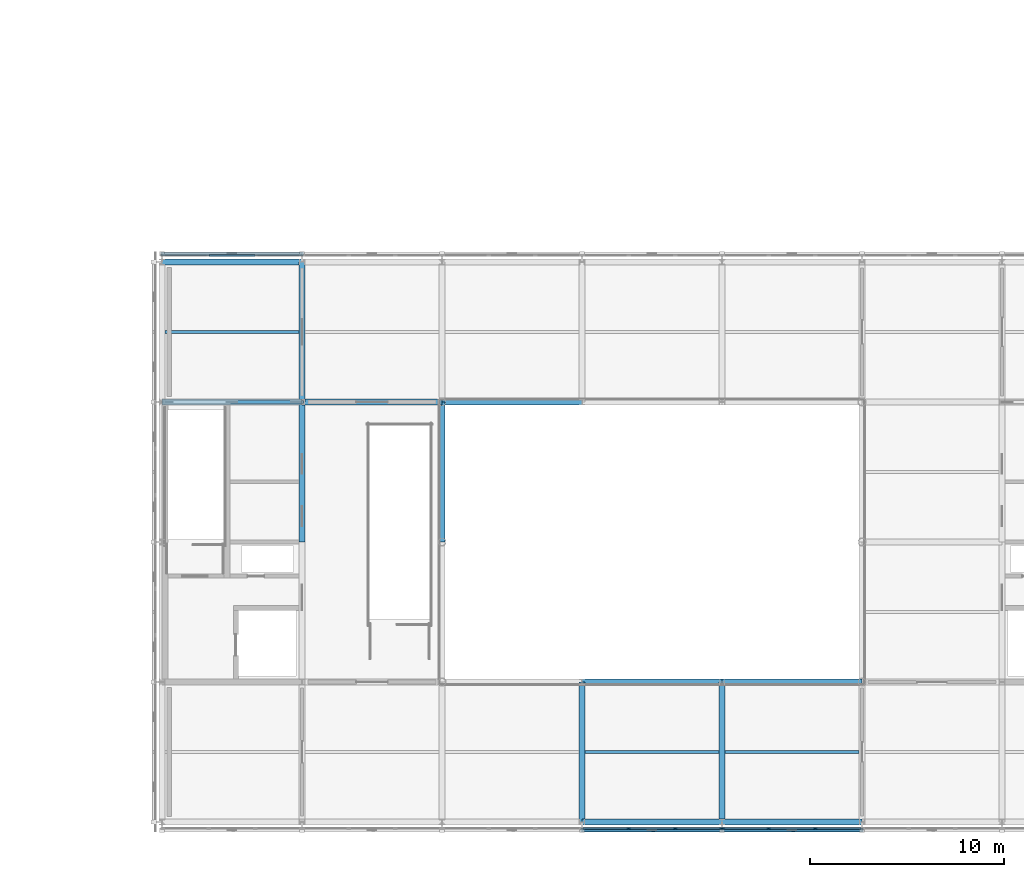
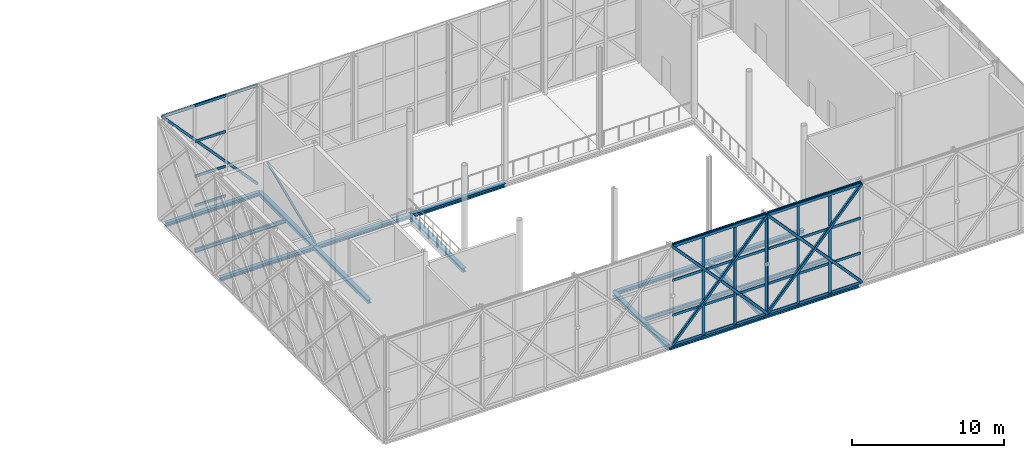
# One storey, part 15 of 76: 45 members, 16 beams, 3 elements without a shape of their own.
"""IFC4 building model written with IfcOpenShell, lengths in metres."""

from ifc_helpers import new_model, si_unit, direction, frame, origin, origin_2d, place, context, subcontext, project, spatial, rectangle, hollow_rectangle, i_section, extrude, material, material_profile, profile_set, type_object, element, aggregate, save


model = new_model("IFC4")

# Units and contexts
model_context = context("Model", 3, precision=1e-05, world=origin(), true_north=direction((0.0, 1.0)))
body_context = subcontext(model_context, "Body", "Model", "MODEL_VIEW")
ifc_project = project(units=[si_unit("LENGTHUNIT", "METRE"), si_unit("AREAUNIT", "SQUARE_METRE"), si_unit("VOLUMEUNIT", "CUBIC_METRE"), si_unit("PLANEANGLEUNIT", "RADIAN"), si_unit("MASSUNIT", "GRAM", prefix="KILO")], contexts=[model_context])

# Site, building, storey
site_placement = place(None, origin())
site = spatial("IfcSite", under=ifc_project, at=site_placement, CompositionType="ELEMENT")
building_placement = place(site_placement, origin())
building = spatial("IfcBuilding", under=site, at=building_placement, Name="Zlatovets Crest Museum", CompositionType="ELEMENT")
storey_placement = place(building_placement, frame((0.0, 0.0, 17.10009765625)))
storey = spatial("IfcBuildingStorey", under=building, at=storey_placement, Name="L04", CompositionType="ELEMENT", Elevation=17.10009765625)

# Beams
ifc_material_1 = material(Name="Structural steel S355J2", Category="steel")
ifc_material_profile_1 = material_profile(ifc_material_1, i_section(OverallWidth=0.300048828125, OverallDepth=0.31005859375, WebThickness=0.009033203125, FlangeThickness=0.015380859375, FilletRadius=0.027099609375, at=origin_2d()), Name="HEA 320")
ifc_profile_set_1 = profile_set([ifc_material_profile_1], Name="Structural steel S355J2")
beam_type_1 = type_object("IfcBeamType", Name="Beam_B-04", PredefinedType="BEAM", material=ifc_profile_set_1)
beam_1_placement = place(storey_placement, frame((64.800048828125, 14.39990234375, -0.39501953125), z_axis=(0.0, 1.0, 0.0), x_axis=(-1.0, 0.0, 0.0)))
element("IfcBeam", 1, at=beam_1_placement, inside=storey, type_object=beam_type_1, Name="V2 L04 Grid Beam B-04", PredefinedType="BEAM", context=body_context, shape_type="SweptSolid", body=[
    extrude(i_section(OverallWidth=0.300048828125, OverallDepth=0.31005859375, WebThickness=0.009033203125, FlangeThickness=0.015380859375, FilletRadius=0.027099609375, at=origin_2d()), origin(), (0.0, 0.0, 1.0), 7.2001953125),
])
beam_2_placement = place(storey_placement, frame((64.800048828125, 21.60009765625, -0.39501953125), z_axis=(0.0, 1.0, 0.0), x_axis=(-1.0, 0.0, 0.0)))
element("IfcBeam", 2, at=beam_2_placement, inside=storey, type_object=beam_type_1, Name="V2 L04 Grid Beam B-04", PredefinedType="BEAM", context=body_context, shape_type="SweptSolid", body=[
    extrude(i_section(OverallWidth=0.300048828125, OverallDepth=0.31005859375, WebThickness=0.009033203125, FlangeThickness=0.015380859375, FilletRadius=0.027099609375, at=origin_2d()), origin(), (0.0, 0.0, 1.0), 7.199951171875),
])
beam_3_placement = place(storey_placement, frame((72.0, 14.39990234375, -0.39501953125), z_axis=(0.0, 1.0, 0.0), x_axis=(-1.0, 0.0, 0.0)))
element("IfcBeam", 3, at=beam_3_placement, inside=storey, type_object=beam_type_1, Name="V2 L04 Grid Beam B-04", PredefinedType="BEAM", context=body_context, shape_type="SweptSolid", body=[
    extrude(i_section(OverallWidth=0.300048828125, OverallDepth=0.31005859375, WebThickness=0.009033203125, FlangeThickness=0.015380859375, FilletRadius=0.027099609375, at=origin_2d()), origin(), (0.0, 0.0, 1.0), 7.2001953125),
])
for number, where, z_axis, x_axis, name in (
    (4, (79.199951171875, 0.0, -0.39501953125), (0.0, 1.0, 0.0), (-1.0, 0.0, 0.0), "V2 L04 Grid Beam B-04"),
    (5, (86.39990234375, 0.0, -0.39501953125), (0.0, 1.0, 0.0), (-1.0, 0.0, 0.0), "V2 L04 Grid Beam B-04"),
):
    element("IfcBeam", number, at=place(storey_placement, frame(where, z_axis=z_axis, x_axis=x_axis)), inside=storey, type_object=beam_type_1, Name=name, PredefinedType="BEAM", context=body_context, shape_type="SweptSolid", body=[
        extrude(i_section(OverallWidth=0.300048828125, OverallDepth=0.31005859375, WebThickness=0.009033203125, FlangeThickness=0.015380859375, FilletRadius=0.027099609375, at=origin_2d()), origin(), (0.0, 0.0, 1.0), 7.199951171875),
    ])
ifc_material_profile_2 = material_profile(ifc_material_1, i_section(OverallWidth=0.300048828125, OverallDepth=0.2900390625, WebThickness=0.008544921875, FlangeThickness=0.013916015625, FilletRadius=0.027099609375, at=origin_2d()), Name="HEA 300")
ifc_profile_set_2 = profile_set([ifc_material_profile_2], Name="Structural steel S355J2")
beam_type_2 = type_object("IfcBeamType", Name="Beam_B-12", PredefinedType="BEAM", material=ifc_profile_set_2)
beam_4_placement = place(storey_placement, frame((79.199951171875, 0.0, -0.385009765625), z_axis=(1.0, 0.0, 0.0), x_axis=(0.0, 1.0, 0.0)))
element("IfcBeam", 6, at=beam_4_placement, inside=storey, type_object=beam_type_2, Name="V2 L04 Primary Girder B-12", PredefinedType="BEAM", context=body_context, shape_type="SweptSolid", body=[
    extrude(i_section(OverallWidth=0.300048828125, OverallDepth=0.2900390625, WebThickness=0.008544921875, FlangeThickness=0.013916015625, FilletRadius=0.027099609375, at=origin_2d()), origin(), (0.0, 0.0, 1.0), 7.199951171875),
])
beam_5_placement = place(storey_placement, frame((86.39990234375, 0.0, -0.385009765625), z_axis=(1.0, 0.0, 0.0), x_axis=(0.0, 1.0, 0.0)))
element("IfcBeam", 7, at=beam_5_placement, inside=storey, type_object=beam_type_2, Name="V2 L04 Primary Girder B-12", PredefinedType="BEAM", context=body_context, shape_type="SweptSolid", body=[
    extrude(i_section(OverallWidth=0.300048828125, OverallDepth=0.2900390625, WebThickness=0.008544921875, FlangeThickness=0.013916015625, FilletRadius=0.027099609375, at=origin_2d()), origin(), (0.0, 0.0, 1.0), 7.2001953125),
])
beam_6_placement = place(storey_placement, frame((79.199951171875, 7.199951171875, -0.385009765625), z_axis=(1.0, 0.0, 0.0), x_axis=(0.0, 1.0, 0.0)))
element("IfcBeam", 8, at=beam_6_placement, inside=storey, type_object=beam_type_2, Name="V2 L04 Primary Girder B-12", PredefinedType="BEAM", context=body_context, shape_type="SweptSolid", body=[
    extrude(i_section(OverallWidth=0.300048828125, OverallDepth=0.2900390625, WebThickness=0.008544921875, FlangeThickness=0.013916015625, FilletRadius=0.027099609375, at=origin_2d()), origin(), (0.0, 0.0, 1.0), 7.199951171875),
])
beam_7_placement = place(storey_placement, frame((86.39990234375, 7.199951171875, -0.385009765625), z_axis=(1.0, 0.0, 0.0), x_axis=(0.0, 1.0, 0.0)))
element("IfcBeam", 9, at=beam_7_placement, inside=storey, type_object=beam_type_2, Name="V2 L04 Primary Girder B-12", PredefinedType="BEAM", context=body_context, shape_type="SweptSolid", body=[
    extrude(i_section(OverallWidth=0.300048828125, OverallDepth=0.2900390625, WebThickness=0.008544921875, FlangeThickness=0.013916015625, FilletRadius=0.027099609375, at=origin_2d()), origin(), (0.0, 0.0, 1.0), 7.2001953125),
])
for number, where, z_axis, x_axis, name in (
    (10, (57.60009765625, 21.60009765625, -0.385009765625), (1.0, 0.0, 0.0), (0.0, 1.0, 0.0), "V2 L04 Primary Girder B-12"),
    (11, (64.800048828125, 21.60009765625, -0.385009765625), (1.0, 0.0, 0.0), (0.0, 1.0, 0.0), "V2 L04 Primary Girder B-12"),
    (12, (72.0, 21.60009765625, -0.385009765625), (1.0, 0.0, 0.0), (0.0, 1.0, 0.0), "V2 L04 Primary Girder B-12"),
    (13, (57.60009765625, 28.800048828125, -0.385009765625), (1.0, 0.0, 0.0), (0.0, 1.0, 0.0), "V2 L04 Primary Girder B-12"),
):
    element("IfcBeam", number, at=place(storey_placement, frame(where, z_axis=z_axis, x_axis=x_axis)), inside=storey, type_object=beam_type_2, Name=name, PredefinedType="BEAM", context=body_context, shape_type="SweptSolid", body=[
        extrude(i_section(OverallWidth=0.300048828125, OverallDepth=0.2900390625, WebThickness=0.008544921875, FlangeThickness=0.013916015625, FilletRadius=0.027099609375, at=origin_2d()), origin(), (0.0, 0.0, 1.0), 7.199951171875),
    ])
ifc_material_profile_3 = material_profile(ifc_material_1, i_section(OverallWidth=0.14990234375, OverallDepth=0.300048828125, WebThickness=0.007080078125, FlangeThickness=0.0107421875, FilletRadius=0.014892578125, at=origin_2d()), Name="IPE 300")
ifc_profile_set_3 = profile_set([ifc_material_profile_3], Name="Structural steel S355J2")
beam_type_3 = type_object("IfcBeamType", Name="Beam_J-02", PredefinedType="JOIST", material=ifc_profile_set_3)
for number, where, z_axis, x_axis, name in (
    (14, (57.75, 25.199951171875, -0.39013671875), (1.0, 0.0, 0.0), (0.0, 1.0, 0.0), "V2 L04 Composite Joist J-02"),
    (15, (79.35009765625, 3.60009765625, -0.39013671875), (1.0, 0.0, 0.0), (0.0, 1.0, 0.0), "V2 L04 Composite Joist J-02"),
    (16, (86.550048828125, 3.60009765625, -0.39013671875), (1.0, 0.0, 0.0), (0.0, 1.0, 0.0), "V2 L04 Composite Joist J-02"),
):
    element("IfcBeam", number, at=place(storey_placement, frame(where, z_axis=z_axis, x_axis=x_axis)), inside=storey, type_object=beam_type_3, Name=name, PredefinedType="JOIST", context=body_context, shape_type="SweptSolid", body=[
        extrude(i_section(OverallWidth=0.14990234375, OverallDepth=0.300048828125, WebThickness=0.007080078125, FlangeThickness=0.0107421875, FilletRadius=0.014892578125, at=origin_2d()), origin(), (0.0, 0.0, 1.0), 6.89990234375),
    ])

# Curtain wall, members
ifc_material_2 = material(Name="Bronze-anodised aluminium and low-E triple glass", Category="aluminium")
curtain_wall_type_1 = type_object("IfcCurtainWallType", Name="CW_CW-V2-L04-M3", PredefinedType="NOTDEFINED", material=ifc_material_2)
curtain_wall_1_placement = place(storey_placement, origin())
curtain_wall_1 = element("IfcCurtainWall", 17, at=curtain_wall_1_placement, inside=storey, type_object=curtain_wall_type_1, Name="V2 L04 Secession Foyer Clear Curtain Wall", PredefinedType="NOTDEFINED")
ifc_material_3 = material(Name="Bronze-anodised aluminium EN AW-6060", Category="aluminium")
ifc_material_profile_4 = material_profile(ifc_material_3, rectangle(XDim=0.090087890625, YDim=0.199951171875, at=origin_2d()), Name="ALU 90x200")
ifc_profile_set_4 = profile_set([ifc_material_profile_4], Name="Bronze-anodised aluminium EN AW-6060")
member_type_1 = type_object("IfcMemberType", Name="CWMull_M2", PredefinedType="MULLION", material=ifc_profile_set_4)
member_1_placement = place(storey_placement, frame((81.60009765625, -0.340087890625, 0.0), z_axis=(0.0, 0.0, 1.0), x_axis=(0.0, 1.0, 0.0)))
member_1 = element("IfcMember", 18, at=member_1_placement, type_object=member_type_1, Name="CW-V2-L04-M3 mullion 2", PredefinedType="MULLION", context=body_context, shape_type="SweptSolid", body=[
    extrude(rectangle(XDim=0.090087890625, YDim=0.199951171875, at=origin_2d()), origin(), (0.0, 0.0, 1.0), 8.099853515625),
])
member_2_placement = place(storey_placement, frame((84.0, -0.340087890625, 0.0), z_axis=(0.0, 0.0, 1.0), x_axis=(0.0, 1.0, 0.0)))
member_2 = element("IfcMember", 19, at=member_2_placement, type_object=member_type_1, Name="CW-V2-L04-M3 mullion 3", PredefinedType="MULLION", context=body_context, shape_type="SweptSolid", body=[
    extrude(rectangle(XDim=0.090087890625, YDim=0.199951171875, at=origin_2d()), origin(), (0.0, 0.0, 1.0), 8.099853515625),
])
member_3_placement = place(storey_placement, frame((86.3701171875, -0.340087890625, 0.0), z_axis=(0.0, 0.0, 1.0), x_axis=(0.0, 1.0, 0.0)))
member_3 = element("IfcMember", 20, at=member_3_placement, type_object=member_type_1, Name="CW-V2-L04-M3 mullion 4", PredefinedType="MULLION", context=body_context, shape_type="SweptSolid", body=[
    extrude(rectangle(XDim=0.090087890625, YDim=0.199951171875, at=origin_2d()), origin(), (0.0, 0.0, 1.0), 8.099853515625),
])

curtain_wall_type_2 = type_object("IfcCurtainWallType", Name="CW_CW-V2-L04-M0", PredefinedType="NOTDEFINED", material=ifc_material_2)
curtain_wall_2_placement = place(storey_placement, origin())
curtain_wall_2 = element("IfcCurtainWall", 21, at=curtain_wall_2_placement, inside=storey, type_object=curtain_wall_type_2, Name="V2 L04 Secession Foyer Clear Curtain Wall", PredefinedType="NOTDEFINED")
member_4_placement = place(storey_placement, frame((86.429931640625, -0.340087890625, 0.0), z_axis=(0.0, 0.0, 1.0), x_axis=(0.0, 1.0, 0.0)))
member_4 = element("IfcMember", 22, at=member_4_placement, type_object=member_type_1, Name="CW-V2-L04-M0 mullion 1", PredefinedType="MULLION", context=body_context, shape_type="SweptSolid", body=[
    extrude(rectangle(XDim=0.090087890625, YDim=0.199951171875, at=origin_2d()), origin(), (0.0, 0.0, 1.0), 8.099853515625),
])
member_5_placement = place(storey_placement, frame((88.800048828125, -0.340087890625, 0.0), z_axis=(0.0, 0.0, 1.0), x_axis=(0.0, 1.0, 0.0)))
member_5 = element("IfcMember", 23, at=member_5_placement, type_object=member_type_1, Name="CW-V2-L04-M0 mullion 2", PredefinedType="MULLION", context=body_context, shape_type="SweptSolid", body=[
    extrude(rectangle(XDim=0.090087890625, YDim=0.199951171875, at=origin_2d()), origin(), (0.0, 0.0, 1.0), 8.099853515625),
])
member_6_placement = place(storey_placement, frame((91.199951171875, -0.340087890625, 0.0), z_axis=(0.0, 0.0, 1.0), x_axis=(0.0, 1.0, 0.0)))
member_6 = element("IfcMember", 24, at=member_6_placement, type_object=member_type_1, Name="CW-V2-L04-M0 mullion 3", PredefinedType="MULLION", context=body_context, shape_type="SweptSolid", body=[
    extrude(rectangle(XDim=0.090087890625, YDim=0.199951171875, at=origin_2d()), origin(), (0.0, 0.0, 1.0), 8.099853515625),
])

# Member
ifc_material_profile_5 = material_profile(ifc_material_3, rectangle(XDim=0.090087890625, YDim=0.199951171875, at=origin_2d()), Name="ALU 90x200")
ifc_profile_set_5 = profile_set([ifc_material_profile_5], Name="Bronze-anodised aluminium EN AW-6060")
member_type_2 = type_object("IfcMemberType", Name="CWTrans_T2", PredefinedType="USERDEFINED", material=ifc_profile_set_5)
member_7_placement = place(storey_placement, frame((79.260009765625, -0.340087890625, 0.02978515625), z_axis=(1.0, 0.0, 0.0), x_axis=(0.0, 1.0, 0.0)))
member_7 = element("IfcMember", 25, at=member_7_placement, type_object=member_type_2, Name="CW-V2-L04-M3 transom 1.1", ObjectType="TRANSOM", PredefinedType="USERDEFINED", context=body_context, shape_type="SweptSolid", body=[
    extrude(rectangle(XDim=0.090087890625, YDim=0.199951171875, at=origin_2d()), origin(), (0.0, 0.0, 1.0), 2.31005859375),
])

member_8_placement = place(storey_placement, frame((79.260009765625, -0.340087890625, 2.39990234375), z_axis=(1.0, 0.0, 0.0), x_axis=(0.0, 1.0, 0.0)))
member_8 = element("IfcMember", 26, at=member_8_placement, type_object=member_type_2, Name="CW-V2-L04-M3 transom 1.2", ObjectType="TRANSOM", PredefinedType="USERDEFINED", context=body_context, shape_type="SweptSolid", body=[
    extrude(rectangle(XDim=0.090087890625, YDim=0.199951171875, at=origin_2d()), origin(), (0.0, 0.0, 1.0), 2.31005859375),
])

member_9_placement = place(storey_placement, frame((79.260009765625, -0.340087890625, 5.199951171875), z_axis=(1.0, 0.0, 0.0), x_axis=(0.0, 1.0, 0.0)))
member_9 = element("IfcMember", 27, at=member_9_placement, type_object=member_type_2, Name="CW-V2-L04-M3 transom 1.3", ObjectType="TRANSOM", PredefinedType="USERDEFINED", context=body_context, shape_type="SweptSolid", body=[
    extrude(rectangle(XDim=0.090087890625, YDim=0.199951171875, at=origin_2d()), origin(), (0.0, 0.0, 1.0), 2.31005859375),
])

member_10_placement = place(storey_placement, frame((79.260009765625, -0.340087890625, 8.06982421875), z_axis=(1.0, 0.0, 0.0), x_axis=(0.0, 1.0, 0.0)))
member_10 = element("IfcMember", 28, at=member_10_placement, type_object=member_type_2, Name="CW-V2-L04-M3 transom 1.4", ObjectType="TRANSOM", PredefinedType="USERDEFINED", context=body_context, shape_type="SweptSolid", body=[
    extrude(rectangle(XDim=0.090087890625, YDim=0.199951171875, at=origin_2d()), origin(), (0.0, 0.0, 1.0), 2.31005859375),
])

member_11_placement = place(storey_placement, frame((81.6298828125, -0.340087890625, 0.02978515625), z_axis=(1.0, 0.0, 0.0), x_axis=(0.0, 1.0, 0.0)))
member_11 = element("IfcMember", 29, at=member_11_placement, type_object=member_type_2, Name="CW-V2-L04-M3 transom 2.1", ObjectType="TRANSOM", PredefinedType="USERDEFINED", context=body_context, shape_type="SweptSolid", body=[
    extrude(rectangle(XDim=0.090087890625, YDim=0.199951171875, at=origin_2d()), origin(), (0.0, 0.0, 1.0), 2.340087890625),
])

member_12_placement = place(storey_placement, frame((81.6298828125, -0.340087890625, 2.39990234375), z_axis=(1.0, 0.0, 0.0), x_axis=(0.0, 1.0, 0.0)))
member_12 = element("IfcMember", 30, at=member_12_placement, type_object=member_type_2, Name="CW-V2-L04-M3 transom 2.2", ObjectType="TRANSOM", PredefinedType="USERDEFINED", context=body_context, shape_type="SweptSolid", body=[
    extrude(rectangle(XDim=0.090087890625, YDim=0.199951171875, at=origin_2d()), origin(), (0.0, 0.0, 1.0), 2.340087890625),
])

member_13_placement = place(storey_placement, frame((81.6298828125, -0.340087890625, 5.199951171875), z_axis=(1.0, 0.0, 0.0), x_axis=(0.0, 1.0, 0.0)))
member_13 = element("IfcMember", 31, at=member_13_placement, type_object=member_type_2, Name="CW-V2-L04-M3 transom 2.3", ObjectType="TRANSOM", PredefinedType="USERDEFINED", context=body_context, shape_type="SweptSolid", body=[
    extrude(rectangle(XDim=0.090087890625, YDim=0.199951171875, at=origin_2d()), origin(), (0.0, 0.0, 1.0), 2.340087890625),
])

member_14_placement = place(storey_placement, frame((81.6298828125, -0.340087890625, 8.06982421875), z_axis=(1.0, 0.0, 0.0), x_axis=(0.0, 1.0, 0.0)))
member_14 = element("IfcMember", 32, at=member_14_placement, type_object=member_type_2, Name="CW-V2-L04-M3 transom 2.4", ObjectType="TRANSOM", PredefinedType="USERDEFINED", context=body_context, shape_type="SweptSolid", body=[
    extrude(rectangle(XDim=0.090087890625, YDim=0.199951171875, at=origin_2d()), origin(), (0.0, 0.0, 1.0), 2.340087890625),
])

member_15_placement = place(storey_placement, frame((84.030029296875, -0.340087890625, 0.02978515625), z_axis=(1.0, 0.0, 0.0), x_axis=(0.0, 1.0, 0.0)))
member_15 = element("IfcMember", 33, at=member_15_placement, type_object=member_type_2, Name="CW-V2-L04-M3 transom 3.1", ObjectType="TRANSOM", PredefinedType="USERDEFINED", context=body_context, shape_type="SweptSolid", body=[
    extrude(rectangle(XDim=0.090087890625, YDim=0.199951171875, at=origin_2d()), origin(), (0.0, 0.0, 1.0), 2.31005859375),
])

member_16_placement = place(storey_placement, frame((84.030029296875, -0.340087890625, 2.39990234375), z_axis=(1.0, 0.0, 0.0), x_axis=(0.0, 1.0, 0.0)))
member_16 = element("IfcMember", 34, at=member_16_placement, type_object=member_type_2, Name="CW-V2-L04-M3 transom 3.2", ObjectType="TRANSOM", PredefinedType="USERDEFINED", context=body_context, shape_type="SweptSolid", body=[
    extrude(rectangle(XDim=0.090087890625, YDim=0.199951171875, at=origin_2d()), origin(), (0.0, 0.0, 1.0), 2.31005859375),
])

member_17_placement = place(storey_placement, frame((84.030029296875, -0.340087890625, 5.199951171875), z_axis=(1.0, 0.0, 0.0), x_axis=(0.0, 1.0, 0.0)))
member_17 = element("IfcMember", 35, at=member_17_placement, type_object=member_type_2, Name="CW-V2-L04-M3 transom 3.3", ObjectType="TRANSOM", PredefinedType="USERDEFINED", context=body_context, shape_type="SweptSolid", body=[
    extrude(rectangle(XDim=0.090087890625, YDim=0.199951171875, at=origin_2d()), origin(), (0.0, 0.0, 1.0), 2.31005859375),
])

member_18_placement = place(storey_placement, frame((84.030029296875, -0.340087890625, 8.06982421875), z_axis=(1.0, 0.0, 0.0), x_axis=(0.0, 1.0, 0.0)))
member_18 = element("IfcMember", 36, at=member_18_placement, type_object=member_type_2, Name="CW-V2-L04-M3 transom 3.4", ObjectType="TRANSOM", PredefinedType="USERDEFINED", context=body_context, shape_type="SweptSolid", body=[
    extrude(rectangle(XDim=0.090087890625, YDim=0.199951171875, at=origin_2d()), origin(), (0.0, 0.0, 1.0), 2.31005859375),
])

aggregate(curtain_wall_1, [member_1, member_2, member_3, member_7, member_8, member_9, member_10, member_11, member_12, member_13, member_14, member_15, member_16, member_17, member_18])

member_19_placement = place(storey_placement, frame((86.4599609375, -0.340087890625, 0.02978515625), z_axis=(1.0, 0.0, 0.0), x_axis=(0.0, 1.0, 0.0)))
member_19 = element("IfcMember", 37, at=member_19_placement, type_object=member_type_2, Name="CW-V2-L04-M0 transom 1.1", ObjectType="TRANSOM", PredefinedType="USERDEFINED", context=body_context, shape_type="SweptSolid", body=[
    extrude(rectangle(XDim=0.090087890625, YDim=0.199951171875, at=origin_2d()), origin(), (0.0, 0.0, 1.0), 2.31005859375),
])

member_20_placement = place(storey_placement, frame((86.4599609375, -0.340087890625, 2.39990234375), z_axis=(1.0, 0.0, 0.0), x_axis=(0.0, 1.0, 0.0)))
member_20 = element("IfcMember", 38, at=member_20_placement, type_object=member_type_2, Name="CW-V2-L04-M0 transom 1.2", ObjectType="TRANSOM", PredefinedType="USERDEFINED", context=body_context, shape_type="SweptSolid", body=[
    extrude(rectangle(XDim=0.090087890625, YDim=0.199951171875, at=origin_2d()), origin(), (0.0, 0.0, 1.0), 2.31005859375),
])

member_21_placement = place(storey_placement, frame((86.4599609375, -0.340087890625, 5.199951171875), z_axis=(1.0, 0.0, 0.0), x_axis=(0.0, 1.0, 0.0)))
member_21 = element("IfcMember", 39, at=member_21_placement, type_object=member_type_2, Name="CW-V2-L04-M0 transom 1.3", ObjectType="TRANSOM", PredefinedType="USERDEFINED", context=body_context, shape_type="SweptSolid", body=[
    extrude(rectangle(XDim=0.090087890625, YDim=0.199951171875, at=origin_2d()), origin(), (0.0, 0.0, 1.0), 2.31005859375),
])

member_22_placement = place(storey_placement, frame((86.4599609375, -0.340087890625, 8.06982421875), z_axis=(1.0, 0.0, 0.0), x_axis=(0.0, 1.0, 0.0)))
member_22 = element("IfcMember", 40, at=member_22_placement, type_object=member_type_2, Name="CW-V2-L04-M0 transom 1.4", ObjectType="TRANSOM", PredefinedType="USERDEFINED", context=body_context, shape_type="SweptSolid", body=[
    extrude(rectangle(XDim=0.090087890625, YDim=0.199951171875, at=origin_2d()), origin(), (0.0, 0.0, 1.0), 2.31005859375),
])

member_23_placement = place(storey_placement, frame((88.830078125, -0.340087890625, 0.02978515625), z_axis=(1.0, 0.0, 0.0), x_axis=(0.0, 1.0, 0.0)))
member_23 = element("IfcMember", 41, at=member_23_placement, type_object=member_type_2, Name="CW-V2-L04-M0 transom 2.1", ObjectType="TRANSOM", PredefinedType="USERDEFINED", context=body_context, shape_type="SweptSolid", body=[
    extrude(rectangle(XDim=0.090087890625, YDim=0.199951171875, at=origin_2d()), origin(), (0.0, 0.0, 1.0), 2.33984375),
])

member_24_placement = place(storey_placement, frame((88.830078125, -0.340087890625, 2.39990234375), z_axis=(1.0, 0.0, 0.0), x_axis=(0.0, 1.0, 0.0)))
member_24 = element("IfcMember", 42, at=member_24_placement, type_object=member_type_2, Name="CW-V2-L04-M0 transom 2.2", ObjectType="TRANSOM", PredefinedType="USERDEFINED", context=body_context, shape_type="SweptSolid", body=[
    extrude(rectangle(XDim=0.090087890625, YDim=0.199951171875, at=origin_2d()), origin(), (0.0, 0.0, 1.0), 2.33984375),
])

member_25_placement = place(storey_placement, frame((88.830078125, -0.340087890625, 5.199951171875), z_axis=(1.0, 0.0, 0.0), x_axis=(0.0, 1.0, 0.0)))
member_25 = element("IfcMember", 43, at=member_25_placement, type_object=member_type_2, Name="CW-V2-L04-M0 transom 2.3", ObjectType="TRANSOM", PredefinedType="USERDEFINED", context=body_context, shape_type="SweptSolid", body=[
    extrude(rectangle(XDim=0.090087890625, YDim=0.199951171875, at=origin_2d()), origin(), (0.0, 0.0, 1.0), 2.33984375),
])

member_26_placement = place(storey_placement, frame((88.830078125, -0.340087890625, 8.06982421875), z_axis=(1.0, 0.0, 0.0), x_axis=(0.0, 1.0, 0.0)))
member_26 = element("IfcMember", 44, at=member_26_placement, type_object=member_type_2, Name="CW-V2-L04-M0 transom 2.4", ObjectType="TRANSOM", PredefinedType="USERDEFINED", context=body_context, shape_type="SweptSolid", body=[
    extrude(rectangle(XDim=0.090087890625, YDim=0.199951171875, at=origin_2d()), origin(), (0.0, 0.0, 1.0), 2.33984375),
])

member_27_placement = place(storey_placement, frame((91.22998046875, -0.340087890625, 0.02978515625), z_axis=(1.0, 0.0, 0.0), x_axis=(0.0, 1.0, 0.0)))
member_27 = element("IfcMember", 45, at=member_27_placement, type_object=member_type_2, Name="CW-V2-L04-M0 transom 3.1", ObjectType="TRANSOM", PredefinedType="USERDEFINED", context=body_context, shape_type="SweptSolid", body=[
    extrude(rectangle(XDim=0.090087890625, YDim=0.199951171875, at=origin_2d()), origin(), (0.0, 0.0, 1.0), 2.31005859375),
])

member_28_placement = place(storey_placement, frame((91.22998046875, -0.340087890625, 2.39990234375), z_axis=(1.0, 0.0, 0.0), x_axis=(0.0, 1.0, 0.0)))
member_28 = element("IfcMember", 46, at=member_28_placement, type_object=member_type_2, Name="CW-V2-L04-M0 transom 3.2", ObjectType="TRANSOM", PredefinedType="USERDEFINED", context=body_context, shape_type="SweptSolid", body=[
    extrude(rectangle(XDim=0.090087890625, YDim=0.199951171875, at=origin_2d()), origin(), (0.0, 0.0, 1.0), 2.31005859375),
])

member_29_placement = place(storey_placement, frame((91.22998046875, -0.340087890625, 5.199951171875), z_axis=(1.0, 0.0, 0.0), x_axis=(0.0, 1.0, 0.0)))
member_29 = element("IfcMember", 47, at=member_29_placement, type_object=member_type_2, Name="CW-V2-L04-M0 transom 3.3", ObjectType="TRANSOM", PredefinedType="USERDEFINED", context=body_context, shape_type="SweptSolid", body=[
    extrude(rectangle(XDim=0.090087890625, YDim=0.199951171875, at=origin_2d()), origin(), (0.0, 0.0, 1.0), 2.31005859375),
])

member_30_placement = place(storey_placement, frame((91.22998046875, -0.340087890625, 8.06982421875), z_axis=(1.0, 0.0, 0.0), x_axis=(0.0, 1.0, 0.0)))
member_30 = element("IfcMember", 48, at=member_30_placement, type_object=member_type_2, Name="CW-V2-L04-M0 transom 3.4", ObjectType="TRANSOM", PredefinedType="USERDEFINED", context=body_context, shape_type="SweptSolid", body=[
    extrude(rectangle(XDim=0.090087890625, YDim=0.199951171875, at=origin_2d()), origin(), (0.0, 0.0, 1.0), 2.31005859375),
])

aggregate(curtain_wall_2, [member_4, member_5, member_6, member_19, member_20, member_21, member_22, member_23, member_24, member_25, member_26, member_27, member_28, member_29, member_30])

# Curtain wall, members
curtain_wall_type_3 = type_object("IfcCurtainWallType", Name="CW_CW-V2-L04-M1", PredefinedType="NOTDEFINED", material=ifc_material_2)
curtain_wall_3_placement = place(storey_placement, origin())
curtain_wall_3 = element("IfcCurtainWall", 49, at=curtain_wall_3_placement, inside=storey, type_object=curtain_wall_type_3, Name="V2 L04 Secession Foyer Clear Curtain Wall", PredefinedType="NOTDEFINED")
member_31_placement = place(storey_placement, frame((62.3701171875, 29.139892578125, 0.02978515625), z_axis=(-1.0, 0.0, 0.0), x_axis=(0.0, -1.0, 0.0)))
member_31 = element("IfcMember", 50, at=member_31_placement, type_object=member_type_2, Name="CW-V2-L04-M1 transom 2.1", ObjectType="TRANSOM", PredefinedType="USERDEFINED", context=body_context, shape_type="SweptSolid", body=[
    extrude(rectangle(XDim=0.090087890625, YDim=0.199951171875, at=origin_2d()), origin(), (0.0, 0.0, 1.0), 2.340087890625),
])
member_32_placement = place(storey_placement, frame((62.3701171875, 29.139892578125, 2.39990234375), z_axis=(-1.0, 0.0, 0.0), x_axis=(0.0, -1.0, 0.0)))
member_32 = element("IfcMember", 51, at=member_32_placement, type_object=member_type_2, Name="CW-V2-L04-M1 transom 2.2", ObjectType="TRANSOM", PredefinedType="USERDEFINED", context=body_context, shape_type="SweptSolid", body=[
    extrude(rectangle(XDim=0.090087890625, YDim=0.199951171875, at=origin_2d()), origin(), (0.0, 0.0, 1.0), 2.340087890625),
])
member_33_placement = place(storey_placement, frame((62.3701171875, 29.139892578125, 5.199951171875), z_axis=(-1.0, 0.0, 0.0), x_axis=(0.0, -1.0, 0.0)))
member_33 = element("IfcMember", 52, at=member_33_placement, type_object=member_type_2, Name="CW-V2-L04-M1 transom 2.3", ObjectType="TRANSOM", PredefinedType="USERDEFINED", context=body_context, shape_type="SweptSolid", body=[
    extrude(rectangle(XDim=0.090087890625, YDim=0.199951171875, at=origin_2d()), origin(), (0.0, 0.0, 1.0), 2.340087890625),
])
member_34_placement = place(storey_placement, frame((62.3701171875, 29.139892578125, 8.06982421875), z_axis=(-1.0, 0.0, 0.0), x_axis=(0.0, -1.0, 0.0)))
member_34 = element("IfcMember", 53, at=member_34_placement, type_object=member_type_2, Name="CW-V2-L04-M1 transom 2.4", ObjectType="TRANSOM", PredefinedType="USERDEFINED", context=body_context, shape_type="SweptSolid", body=[
    extrude(rectangle(XDim=0.090087890625, YDim=0.199951171875, at=origin_2d()), origin(), (0.0, 0.0, 1.0), 2.340087890625),
])
aggregate(curtain_wall_3, [member_31, member_32, member_33, member_34])

# Members
ifc_material_4 = material(Name="Weathering bronze-steel S355J2W", Category="steel")
ifc_material_profile_6 = material_profile(ifc_material_4, hollow_rectangle(XDim=0.199951171875, YDim=0.199951171875, WallThickness=0.012451171875, InnerFilletRadius=0.012451171875, OuterFilletRadius=0.02490234375, at=origin_2d()), Name="SHS 200x200x12.5")
ifc_profile_set_6 = profile_set([ifc_material_profile_6], Name="Weathering bronze-steel S355J2W")
member_type_3 = type_object("IfcMemberType", Name="Lattice_XL-02", PredefinedType="BRACE", material=ifc_profile_set_6)
member_35_placement = place(storey_placement, frame((79.199951171875, -0.419921875, 0.099853515625), z_axis=(0.673594270156, 0.0, 0.739101318639), x_axis=(0.0, 1.0, 0.0)))
element("IfcMember", 54, at=member_35_placement, inside=storey, type_object=member_type_3, Name="Continuous Bronze Lattice Diagonal", PredefinedType="BRACE", context=body_context, shape_type="SweptSolid", body=[
    extrude(hollow_rectangle(XDim=0.199951171875, YDim=0.199951171875, WallThickness=0.012451171875, InnerFilletRadius=0.012451171875, OuterFilletRadius=0.02490234375, at=origin_2d()), origin(), (0.0, 0.0, 1.0), 10.68896484375),
])
member_36_placement = place(storey_placement, frame((79.199951171875, -0.419921875, 8.0), z_axis=(0.673607447357, 0.0, -0.739089309127), x_axis=(0.0, 1.0, 0.0)))
element("IfcMember", 55, at=member_36_placement, inside=storey, type_object=member_type_3, Name="Split Crossing Bronze Lattice Diagonal Upper", PredefinedType="BRACE", context=body_context, shape_type="SweptSolid", body=[
    extrude(hollow_rectangle(XDim=0.199951171875, YDim=0.199951171875, WallThickness=0.012451171875, InnerFilletRadius=0.012451171875, OuterFilletRadius=0.02490234375, at=origin_2d()), origin(), (0.0, 0.0, 1.0), 5.24951171875),
])
member_37_placement = place(storey_placement, frame((82.864013671875, -0.419921875, 3.979736328125), z_axis=(0.673582041572, 0.0, -0.73911246321), x_axis=(0.0, 1.0, 0.0)))
element("IfcMember", 56, at=member_37_placement, inside=storey, type_object=member_type_3, Name="Split Crossing Bronze Lattice Diagonal Lower", PredefinedType="BRACE", context=body_context, shape_type="SweptSolid", body=[
    extrude(hollow_rectangle(XDim=0.199951171875, YDim=0.199951171875, WallThickness=0.012451171875, InnerFilletRadius=0.012451171875, OuterFilletRadius=0.02490234375, at=origin_2d()), origin(), (0.0, 0.0, 1.0), 5.249267578125),
])
member_38_placement = place(storey_placement, frame((86.39990234375, -0.419921875, 0.099853515625), z_axis=(0.673606747059, 0.0, 0.739089947379), x_axis=(0.0, 1.0, 0.0)))
element("IfcMember", 57, at=member_38_placement, inside=storey, type_object=member_type_3, Name="Continuous Bronze Lattice Diagonal", PredefinedType="BRACE", context=body_context, shape_type="SweptSolid", body=[
    extrude(hollow_rectangle(XDim=0.199951171875, YDim=0.199951171875, WallThickness=0.012451171875, InnerFilletRadius=0.012451171875, OuterFilletRadius=0.02490234375, at=origin_2d()), origin(), (0.0, 0.0, 1.0), 10.68896484375),
])
for number, where, z_axis, x_axis, name in (
    (58, (86.39990234375, -0.419921875, 8.0), (0.673607447357, 0.0, -0.739089309127), (0.0, 1.0, 0.0), "Split Crossing Bronze Lattice Diagonal Upper"),
    (59, (90.06396484375, -0.419921875, 3.979736328125), (0.673607447357, 0.0, -0.739089309127), (0.0, 1.0, 0.0), "Split Crossing Bronze Lattice Diagonal Lower"),
):
    element("IfcMember", number, at=place(storey_placement, frame(where, z_axis=z_axis, x_axis=x_axis)), inside=storey, type_object=member_type_3, Name=name, PredefinedType="BRACE", context=body_context, shape_type="SweptSolid", body=[
        extrude(hollow_rectangle(XDim=0.199951171875, YDim=0.199951171875, WallThickness=0.012451171875, InnerFilletRadius=0.012451171875, OuterFilletRadius=0.02490234375, at=origin_2d()), origin(), (0.0, 0.0, 1.0), 5.24951171875),
    ])
member_39_placement = place(storey_placement, frame((64.800048828125, 29.219970703125, 0.099853515625), z_axis=(-0.673594270156, 0.0, 0.739101318639), x_axis=(0.0, -1.0, 0.0)))
element("IfcMember", 60, at=member_39_placement, inside=storey, type_object=member_type_3, Name="Continuous Bronze Lattice Diagonal", PredefinedType="BRACE", context=body_context, shape_type="SweptSolid", body=[
    extrude(hollow_rectangle(XDim=0.199951171875, YDim=0.199951171875, WallThickness=0.012451171875, InnerFilletRadius=0.012451171875, OuterFilletRadius=0.02490234375, at=origin_2d()), origin(), (0.0, 0.0, 1.0), 10.68896484375),
])
ifc_material_profile_7 = material_profile(ifc_material_4, hollow_rectangle(XDim=0.1201171875, YDim=0.239990234375, WallThickness=0.010009765625, InnerFilletRadius=0.010009765625, OuterFilletRadius=0.02001953125, at=origin_2d()), Name="RHS 120x240x10.0")
ifc_profile_set_7 = profile_set([ifc_material_profile_7], Name="Weathering bronze-steel S355J2W")
member_type_4 = type_object("IfcMemberType", Name="Lattice_XL-04", PredefinedType="CHORD", material=ifc_profile_set_7)
member_40_placement = place(storey_placement, frame((79.199951171875, -0.419921875, 8.0), z_axis=(1.0, 0.0, 0.0), x_axis=(0.0, 1.0, 0.0)))
element("IfcMember", 61, at=member_40_placement, inside=storey, type_object=member_type_4, Name="Art Nouveau Woven Cage Collector Ring Chord", PredefinedType="CHORD", context=body_context, shape_type="SweptSolid", body=[
    extrude(hollow_rectangle(XDim=0.1201171875, YDim=0.239990234375, WallThickness=0.010009765625, InnerFilletRadius=0.010009765625, OuterFilletRadius=0.02001953125, at=origin_2d()), origin(), (0.0, 0.0, 1.0), 7.199951171875),
])
member_41_placement = place(storey_placement, frame((86.39990234375, -0.419921875, 8.0), z_axis=(1.0, 0.0, 0.0), x_axis=(0.0, 1.0, 0.0)))
element("IfcMember", 62, at=member_41_placement, inside=storey, type_object=member_type_4, Name="Art Nouveau Woven Cage Collector Ring Chord", PredefinedType="CHORD", context=body_context, shape_type="SweptSolid", body=[
    extrude(hollow_rectangle(XDim=0.1201171875, YDim=0.239990234375, WallThickness=0.010009765625, InnerFilletRadius=0.010009765625, OuterFilletRadius=0.02001953125, at=origin_2d()), origin(), (0.0, 0.0, 1.0), 7.2001953125),
])
member_42_placement = place(storey_placement, frame((64.800048828125, 29.219970703125, 8.0), z_axis=(-1.0, 0.0, 0.0), x_axis=(0.0, -1.0, 0.0)))
element("IfcMember", 63, at=member_42_placement, inside=storey, type_object=member_type_4, Name="Art Nouveau Woven Cage Collector Ring Chord", PredefinedType="CHORD", context=body_context, shape_type="SweptSolid", body=[
    extrude(hollow_rectangle(XDim=0.1201171875, YDim=0.239990234375, WallThickness=0.010009765625, InnerFilletRadius=0.010009765625, OuterFilletRadius=0.02001953125, at=origin_2d()), origin(), (0.0, 0.0, 1.0), 7.199951171875),
])
ifc_material_profile_8 = material_profile(ifc_material_1, hollow_rectangle(XDim=0.14990234375, YDim=0.14990234375, WallThickness=0.008056640625, InnerFilletRadius=0.008056640625, OuterFilletRadius=0.01611328125, at=origin_2d()), Name="SHS 150x150x8.0")
ifc_profile_set_8 = profile_set([ifc_material_profile_8], Name="Structural steel S355J2")
member_type_5 = type_object("IfcMemberType", Name="Member_BR-04", PredefinedType="BRACE", material=ifc_profile_set_8)
member_43_placement = place(storey_placement, frame((64.800048828125, 21.60009765625, 0.0), z_axis=(-0.425810942746, 0.0, 0.904812157874), x_axis=(0.0, -1.0, 0.0)))
element("IfcMember", 64, at=member_43_placement, inside=storey, type_object=member_type_5, Name="V2 L04 Concentric Seismic Brace", PredefinedType="BRACE", context=body_context, shape_type="SweptSolid", body=[
    extrude(hollow_rectangle(XDim=0.14990234375, YDim=0.14990234375, WallThickness=0.008056640625, InnerFilletRadius=0.008056640625, OuterFilletRadius=0.01611328125, at=origin_2d()), origin(), (0.0, 0.0, 1.0), 8.45458984375),
])

save(model, "model.ifc")
